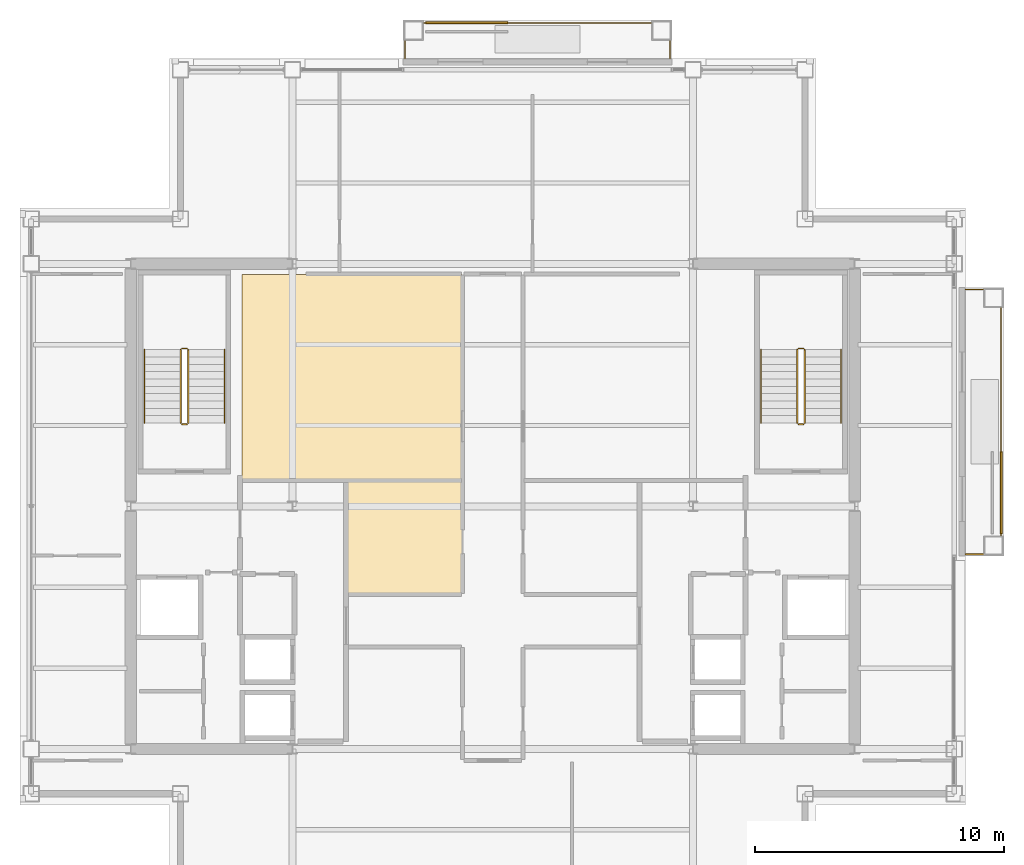
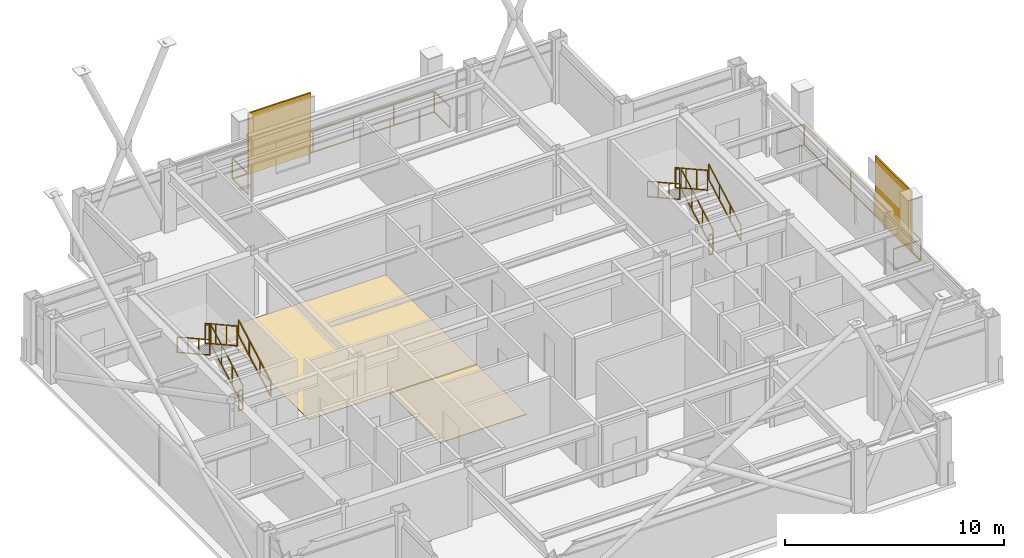
# One storey, part 27 of 28: 14 railings, 2 coverings, 2 shading devices.
"""IFC4 building model written with IfcOpenShell, lengths in metres."""

from ifc_helpers import new_model, si_unit, direction, frame, origin, origin_2d, place, context, subcontext, project, spatial, polyline, rectangle, outline, extrude, material, layer, layer_set, type_object, element, save


model = new_model("IFC4")

# Units and contexts
model_context = context("Model", 3, precision=1e-05, world=origin(), true_north=direction((0.0, 1.0)))
body_context = subcontext(model_context, "Body", "Model", "MODEL_VIEW")
ifc_project = project(units=[si_unit("LENGTHUNIT", "METRE"), si_unit("AREAUNIT", "SQUARE_METRE"), si_unit("VOLUMEUNIT", "CUBIC_METRE"), si_unit("PLANEANGLEUNIT", "RADIAN"), si_unit("MASSUNIT", "GRAM", prefix="KILO")], contexts=[model_context])

# Site, building, storey
site_placement = place(None, origin())
site = spatial("IfcSite", under=ifc_project, at=site_placement, CompositionType="ELEMENT")
building_placement = place(site_placement, origin())
building = spatial("IfcBuilding", under=site, at=building_placement, Name="Brelmoor Portico Tower", CompositionType="ELEMENT")
storey_placement = place(building_placement, frame((0.0, 0.0, 225.60009765625)))
storey = spatial("IfcBuildingStorey", under=building, at=storey_placement, Name="L59", CompositionType="ELEMENT", Elevation=225.60009765625)

# Coverings
ifc_material_1 = material(Name="Polished Pale-Aggregate Cementitious Terrazzo", Category="stone")
ifc_layer_1 = layer(ifc_material_1, 0.030029296875)
ifc_layer_set_1 = layer_set([ifc_layer_1], Name="Polished Pale-Aggregate Cementitious Terrazzo")
covering_type_1 = type_object("IfcCoveringType", Name="CV-FLR-TERRAZZO-30", PredefinedType="FLOORING", material=ifc_layer_set_1)
covering_1_placement = place(storey_placement, origin())
element("IfcCovering", 1, at=covering_1_placement, inside=storey, type_object=covering_type_1, Name="L59 Architectural Floor Finish 02", PredefinedType="FLOORING", context=body_context, shape_type="SweptSolid", body=[
    extrude(outline(polyline([(-5.820068359375, -3.510009765625), (-5.820068359375, 1.0400390625), (-1.239990234375, 1.0400390625), (-1.239990234375, -3.510009765625), (-5.820068359375, -3.510009765625)])), origin(), (0.0, 0.0, 1.0), 0.02978515625),
])
ifc_material_2 = material(Name="Engineered Quarter-Sawn Oak Parquet Flooring", Category="timber")
ifc_layer_2 = layer(ifc_material_2, 0.02197265625)
ifc_layer_set_2 = layer_set([ifc_layer_2], Name="Engineered Quarter-Sawn Oak Parquet Flooring")
covering_type_2 = type_object("IfcCoveringType", Name="CV-FLR-TIMBER-22", PredefinedType="FLOORING", material=ifc_layer_set_2)
covering_2_placement = place(storey_placement, origin())
element("IfcCovering", 2, at=covering_2_placement, inside=storey, type_object=covering_type_2, Name="L59 Architectural Floor Finish 01", PredefinedType="FLOORING", context=body_context, shape_type="SweptSolid", body=[
    extrude(outline(polyline([(-10.080078125, 1.090087890625), (-10.080078125, 9.330078125), (-1.239990234375, 9.330078125), (-1.239990234375, 1.090087890625), (-10.080078125, 1.090087890625)])), origin(), (0.0, 0.0, 1.0), 0.02197265625),
])

# Railings
ifc_material_3 = material(Name="Perforated Pale Champagne Aluminium Fretwork Guard", Category="aluminium")
railing_type_1 = type_object("IfcRailingType", Name="RL-BALUSTRADE-1200", PredefinedType="BALUSTRADE", material=ifc_material_3)
railing_1_placement = place(storey_placement, frame((-3.52001953125, 18.0, 0.0)))
element("IfcRailing", 3, at=railing_1_placement, inside=storey, type_object=railing_type_1, Name="L59 Tree Balcony Fretwork Balustrade N", PredefinedType="BALUSTRADE", context=body_context, shape_type="SweptSolid", body=[
    extrude(rectangle(XDim=0.048095703125, YDim=0.048095703125, at=origin_2d()), frame((0.0, 0.0, 1.17578125), z_axis=(0.0, 1.0, 0.0), x_axis=(-1.0, 0.0, 0.0)), (0.0, 0.0, 1.0), 1.429931640625),
    extrude(rectangle(XDim=0.048095703125, YDim=0.048095703125, at=origin_2d()), frame((0.0, 0.0, 0.02392578125), z_axis=(0.0, 1.0, 0.0), x_axis=(-1.0, 0.0, 0.0)), (0.0, 0.0, 1.0), 1.429931640625),
    extrude(rectangle(XDim=0.048095703125, YDim=0.048095703125, at=origin_2d()), frame((0.0, 1.429931640625, 1.17578125), z_axis=(1.0, 0.0, 0.0), x_axis=(0.0, 1.0, 0.0)), (0.0, 0.0, 1.0), 10.64013671875),
    extrude(rectangle(XDim=0.048095703125, YDim=0.048095703125, at=origin_2d()), frame((0.0, 1.429931640625, 0.02392578125), z_axis=(1.0, 0.0, 0.0), x_axis=(0.0, 1.0, 0.0)), (0.0, 0.0, 1.0), 10.64013671875),
    extrude(rectangle(XDim=0.048095703125, YDim=0.048095703125, at=origin_2d()), frame((10.64013671875, 1.429931640625, 1.17578125), z_axis=(0.0, -1.0, 0.0), x_axis=(1.0, 0.0, 0.0)), (0.0, 0.0, 1.0), 1.429931640625),
    extrude(rectangle(XDim=0.048095703125, YDim=0.048095703125, at=origin_2d()), frame((10.64013671875, 1.429931640625, 0.02392578125), z_axis=(0.0, -1.0, 0.0), x_axis=(1.0, 0.0, 0.0)), (0.0, 0.0, 1.0), 1.429931640625),
    extrude(rectangle(XDim=0.0419921875, YDim=0.0419921875, at=origin_2d()), origin(), (0.0, 0.0, 1.0), 1.15185546875),
    extrude(rectangle(XDim=0.0419921875, YDim=0.0419921875, at=origin_2d()), frame((0.0, 1.429931640625, 0.0)), (0.0, 0.0, 1.0), 1.15185546875),
    extrude(rectangle(XDim=0.0419921875, YDim=0.0419921875, at=origin_2d()), frame((2.1279296875, 1.429931640625, 0.0)), (0.0, 0.0, 1.0), 1.15185546875),
    extrude(rectangle(XDim=0.0419921875, YDim=0.0419921875, at=origin_2d()), frame((4.256103515625, 1.429931640625, 0.0)), (0.0, 0.0, 1.0), 1.15185546875),
    extrude(rectangle(XDim=0.0419921875, YDim=0.0419921875, at=origin_2d()), frame((6.384033203125, 1.429931640625, 0.0)), (0.0, 0.0, 1.0), 1.15185546875),
    extrude(rectangle(XDim=0.0419921875, YDim=0.0419921875, at=origin_2d()), frame((8.51220703125, 1.429931640625, 0.0)), (0.0, 0.0, 1.0), 1.15185546875),
    extrude(rectangle(XDim=0.0419921875, YDim=0.0419921875, at=origin_2d()), frame((10.64013671875, 1.429931640625, 0.0)), (0.0, 0.0, 1.0), 1.15185546875),
    extrude(rectangle(XDim=0.0419921875, YDim=0.0419921875, at=origin_2d()), frame((10.64013671875, 0.0, 0.0)), (0.0, 0.0, 1.0), 1.15185546875),
])
railing_2_placement = place(storey_placement, frame((19.0, -1.919921875, 0.0)))
element("IfcRailing", 4, at=railing_2_placement, inside=storey, type_object=railing_type_1, Name="L59 Tree Balcony Fretwork Balustrade E", PredefinedType="BALUSTRADE", context=body_context, shape_type="SweptSolid", body=[
    extrude(rectangle(XDim=0.048095703125, YDim=0.048095703125, at=origin_2d()), frame((0.0, 0.0, 1.17578125), z_axis=(1.0, 0.0, 0.0), x_axis=(0.0, 1.0, 0.0)), (0.0, 0.0, 1.0), 1.429931640625),
    extrude(rectangle(XDim=0.048095703125, YDim=0.048095703125, at=origin_2d()), frame((0.0, 0.0, 0.02392578125), z_axis=(1.0, 0.0, 0.0), x_axis=(0.0, 1.0, 0.0)), (0.0, 0.0, 1.0), 1.429931640625),
    extrude(rectangle(XDim=0.048095703125, YDim=0.048095703125, at=origin_2d()), frame((1.429931640625, 0.0, 1.17578125), z_axis=(0.0, 1.0, 0.0), x_axis=(-1.0, 0.0, 0.0)), (0.0, 0.0, 1.0), 10.639892578125),
    extrude(rectangle(XDim=0.048095703125, YDim=0.048095703125, at=origin_2d()), frame((1.429931640625, 0.0, 0.02392578125), z_axis=(0.0, 1.0, 0.0), x_axis=(-1.0, 0.0, 0.0)), (0.0, 0.0, 1.0), 10.639892578125),
    extrude(rectangle(XDim=0.048095703125, YDim=0.048095703125, at=origin_2d()), frame((1.429931640625, 10.639892578125, 1.17578125), z_axis=(-1.0, 0.0, 0.0), x_axis=(0.0, -1.0, 0.0)), (0.0, 0.0, 1.0), 1.429931640625),
    extrude(rectangle(XDim=0.048095703125, YDim=0.048095703125, at=origin_2d()), frame((1.429931640625, 10.639892578125, 0.02392578125), z_axis=(-1.0, 0.0, 0.0), x_axis=(0.0, -1.0, 0.0)), (0.0, 0.0, 1.0), 1.429931640625),
    extrude(rectangle(XDim=0.0419921875, YDim=0.0419921875, at=origin_2d()), origin(), (0.0, 0.0, 1.0), 1.15185546875),
    extrude(rectangle(XDim=0.0419921875, YDim=0.0419921875, at=origin_2d()), frame((1.429931640625, 0.0, 0.0)), (0.0, 0.0, 1.0), 1.15185546875),
    extrude(rectangle(XDim=0.0419921875, YDim=0.0419921875, at=origin_2d()), frame((1.429931640625, 2.1279296875, 0.0)), (0.0, 0.0, 1.0), 1.15185546875),
    extrude(rectangle(XDim=0.0419921875, YDim=0.0419921875, at=origin_2d()), frame((1.429931640625, 4.255859375, 0.0)), (0.0, 0.0, 1.0), 1.15185546875),
    extrude(rectangle(XDim=0.0419921875, YDim=0.0419921875, at=origin_2d()), frame((1.429931640625, 6.384033203125, 0.0)), (0.0, 0.0, 1.0), 1.15185546875),
    extrude(rectangle(XDim=0.0419921875, YDim=0.0419921875, at=origin_2d()), frame((1.429931640625, 8.511962890625, 0.0)), (0.0, 0.0, 1.0), 1.15185546875),
    extrude(rectangle(XDim=0.0419921875, YDim=0.0419921875, at=origin_2d()), frame((1.429931640625, 10.639892578125, 0.0)), (0.0, 0.0, 1.0), 1.15185546875),
    extrude(rectangle(XDim=0.0419921875, YDim=0.0419921875, at=origin_2d()), frame((0.0, 10.639892578125, 0.0)), (0.0, 0.0, 1.0), 1.15185546875),
])
ifc_material_4 = material(Name="Painted Tubular Steel Q235B", Category="steel")
railing_type_2 = type_object("IfcRailingType", Name="RL-STAIR-GUARD", PredefinedType="GUARDRAIL", material=ifc_material_4)
railing_3_placement = place(storey_placement, frame((-12.239990234375, 3.35009765625, 0.16357421875)))
element("IfcRailing", 5, at=railing_3_placement, inside=storey, type_object=railing_type_2, Name="L59 ST-W stair guard 1", PredefinedType="GUARDRAIL", context=body_context, shape_type="SweptSolid", body=[
    extrude(rectangle(XDim=0.048095703125, YDim=0.048095703125, at=origin_2d()), frame((0.0, 0.0, 1.1259765625), z_axis=(0.0, 0.87448821551, 0.485046761595), x_axis=(-1.0, 0.0, 0.0)), (0.0, 0.0, 1.0), 3.373291015625),
    extrude(rectangle(XDim=0.048095703125, YDim=0.048095703125, at=origin_2d()), frame((0.0, 0.0, 0.02392578125), z_axis=(0.0, 0.87448821551, 0.485046761595), x_axis=(-1.0, 0.0, 0.0)), (0.0, 0.0, 1.0), 3.373291015625),
    extrude(rectangle(XDim=0.0419921875, YDim=0.0419921875, at=origin_2d()), origin(), (0.0, 0.0, 1.0), 1.101806640625),
    extrude(rectangle(XDim=0.0419921875, YDim=0.0419921875, at=origin_2d()), frame((0.0, 0.9833984375, 0.54541015625)), (0.0, 0.0, 1.0), 1.101806640625),
    extrude(rectangle(XDim=0.0419921875, YDim=0.0419921875, at=origin_2d()), frame((0.0, 1.966552734375, 1.0908203125)), (0.0, 0.0, 1.0), 1.101806640625),
    extrude(rectangle(XDim=0.0419921875, YDim=0.0419921875, at=origin_2d()), frame((0.0, 2.949951171875, 1.63623046875)), (0.0, 0.0, 1.0), 1.101806640625),
])
railing_4_placement = place(storey_placement, frame((-12.2900390625, 6.35009765625, 1.7998046875)))
element("IfcRailing", 6, at=railing_4_placement, inside=storey, type_object=railing_type_2, Name="L59 ST-W stair guard 2", PredefinedType="GUARDRAIL", context=body_context, shape_type="SweptSolid", body=[
    extrude(rectangle(XDim=0.048095703125, YDim=0.048095703125, at=origin_2d()), frame((0.0, 0.0, 1.1259765625), z_axis=(-1.0, 0.0, 0.0), x_axis=(0.0, -1.0, 0.0)), (0.0, 0.0, 1.0), 0.199951171875),
    extrude(rectangle(XDim=0.048095703125, YDim=0.048095703125, at=origin_2d()), frame((0.0, 0.0, 0.02392578125), z_axis=(-1.0, 0.0, 0.0), x_axis=(0.0, -1.0, 0.0)), (0.0, 0.0, 1.0), 0.199951171875),
    extrude(rectangle(XDim=0.0419921875, YDim=0.0419921875, at=origin_2d()), origin(), (0.0, 0.0, 1.0), 1.101806640625),
    extrude(rectangle(XDim=0.0419921875, YDim=0.0419921875, at=origin_2d()), frame((-0.199951171875, 0.0, 0.0)), (0.0, 0.0, 1.0), 1.101806640625),
])
railing_5_placement = place(storey_placement, frame((-12.5400390625, 6.300048828125, 1.963623046875)))
element("IfcRailing", 7, at=railing_5_placement, inside=storey, type_object=railing_type_2, Name="L59 ST-W stair guard 3", PredefinedType="GUARDRAIL", context=body_context, shape_type="SweptSolid", body=[
    extrude(rectangle(XDim=0.048095703125, YDim=0.048095703125, at=origin_2d()), frame((0.0, 0.0, 1.1259765625), z_axis=(0.0, -0.87448821551, 0.485046761595), x_axis=(1.0, 0.0, 0.0)), (0.0, 0.0, 1.0), 3.373291015625),
    extrude(rectangle(XDim=0.048095703125, YDim=0.048095703125, at=origin_2d()), frame((0.0, 0.0, 0.02392578125), z_axis=(0.0, -0.87448821551, 0.485046761595), x_axis=(1.0, 0.0, 0.0)), (0.0, 0.0, 1.0), 3.373291015625),
    extrude(rectangle(XDim=0.0419921875, YDim=0.0419921875, at=origin_2d()), origin(), (0.0, 0.0, 1.0), 1.101806640625),
    extrude(rectangle(XDim=0.0419921875, YDim=0.0419921875, at=origin_2d()), frame((0.0, -0.9833984375, 0.54541015625)), (0.0, 0.0, 1.0), 1.101806640625),
    extrude(rectangle(XDim=0.0419921875, YDim=0.0419921875, at=origin_2d()), frame((0.0, -1.966552734375, 1.0908203125)), (0.0, 0.0, 1.0), 1.101806640625),
    extrude(rectangle(XDim=0.0419921875, YDim=0.0419921875, at=origin_2d()), frame((0.0, -2.949951171875, 1.63623046875)), (0.0, 0.0, 1.0), 1.101806640625),
])
railing_6_placement = place(storey_placement, frame((-12.2900390625, 3.300048828125, 0.0)))
element("IfcRailing", 8, at=railing_6_placement, inside=storey, type_object=railing_type_2, Name="L59 ST-W stair guard 4", PredefinedType="GUARDRAIL", context=body_context, shape_type="SweptSolid", body=[
    extrude(rectangle(XDim=0.048095703125, YDim=0.048095703125, at=origin_2d()), frame((0.0, 0.0, 1.1259765625), z_axis=(-1.0, 0.0, 0.0), x_axis=(0.0, -1.0, 0.0)), (0.0, 0.0, 1.0), 0.199951171875),
    extrude(rectangle(XDim=0.048095703125, YDim=0.048095703125, at=origin_2d()), frame((0.0, 0.0, 0.02392578125), z_axis=(-1.0, 0.0, 0.0), x_axis=(0.0, -1.0, 0.0)), (0.0, 0.0, 1.0), 0.199951171875),
    extrude(rectangle(XDim=0.0419921875, YDim=0.0419921875, at=origin_2d()), origin(), (0.0, 0.0, 1.0), 1.101806640625),
    extrude(rectangle(XDim=0.0419921875, YDim=0.0419921875, at=origin_2d()), frame((-0.199951171875, 0.0, 0.0)), (0.0, 0.0, 1.0), 1.101806640625),
])
railing_7_placement = place(storey_placement, frame((12.5400390625, 3.35009765625, 0.16357421875)))
element("IfcRailing", 9, at=railing_7_placement, inside=storey, type_object=railing_type_2, Name="L59 ST-E stair guard 1", PredefinedType="GUARDRAIL", context=body_context, shape_type="SweptSolid", body=[
    extrude(rectangle(XDim=0.048095703125, YDim=0.048095703125, at=origin_2d()), frame((0.0, 0.0, 1.1259765625), z_axis=(0.0, 0.87448821551, 0.485046761595), x_axis=(-1.0, 0.0, 0.0)), (0.0, 0.0, 1.0), 3.373291015625),
    extrude(rectangle(XDim=0.048095703125, YDim=0.048095703125, at=origin_2d()), frame((0.0, 0.0, 0.02392578125), z_axis=(0.0, 0.87448821551, 0.485046761595), x_axis=(-1.0, 0.0, 0.0)), (0.0, 0.0, 1.0), 3.373291015625),
    extrude(rectangle(XDim=0.0419921875, YDim=0.0419921875, at=origin_2d()), origin(), (0.0, 0.0, 1.0), 1.101806640625),
    extrude(rectangle(XDim=0.0419921875, YDim=0.0419921875, at=origin_2d()), frame((0.0, 0.9833984375, 0.54541015625)), (0.0, 0.0, 1.0), 1.101806640625),
    extrude(rectangle(XDim=0.0419921875, YDim=0.0419921875, at=origin_2d()), frame((0.0, 1.966552734375, 1.0908203125)), (0.0, 0.0, 1.0), 1.101806640625),
    extrude(rectangle(XDim=0.0419921875, YDim=0.0419921875, at=origin_2d()), frame((0.0, 2.949951171875, 1.63623046875)), (0.0, 0.0, 1.0), 1.101806640625),
])
railing_8_placement = place(storey_placement, frame((12.489990234375, 6.35009765625, 1.7998046875)))
element("IfcRailing", 10, at=railing_8_placement, inside=storey, type_object=railing_type_2, Name="L59 ST-E stair guard 2", PredefinedType="GUARDRAIL", context=body_context, shape_type="SweptSolid", body=[
    extrude(rectangle(XDim=0.048095703125, YDim=0.048095703125, at=origin_2d()), frame((0.0, 0.0, 1.1259765625), z_axis=(-1.0, 0.0, 0.0), x_axis=(0.0, -1.0, 0.0)), (0.0, 0.0, 1.0), 0.199951171875),
    extrude(rectangle(XDim=0.048095703125, YDim=0.048095703125, at=origin_2d()), frame((0.0, 0.0, 0.02392578125), z_axis=(-1.0, 0.0, 0.0), x_axis=(0.0, -1.0, 0.0)), (0.0, 0.0, 1.0), 0.199951171875),
    extrude(rectangle(XDim=0.0419921875, YDim=0.0419921875, at=origin_2d()), origin(), (0.0, 0.0, 1.0), 1.101806640625),
    extrude(rectangle(XDim=0.0419921875, YDim=0.0419921875, at=origin_2d()), frame((-0.199951171875, 0.0, 0.0)), (0.0, 0.0, 1.0), 1.101806640625),
])
railing_9_placement = place(storey_placement, frame((12.239990234375, 6.300048828125, 1.963623046875)))
element("IfcRailing", 11, at=railing_9_placement, inside=storey, type_object=railing_type_2, Name="L59 ST-E stair guard 3", PredefinedType="GUARDRAIL", context=body_context, shape_type="SweptSolid", body=[
    extrude(rectangle(XDim=0.048095703125, YDim=0.048095703125, at=origin_2d()), frame((0.0, 0.0, 1.1259765625), z_axis=(0.0, -0.87448821551, 0.485046761595), x_axis=(1.0, 0.0, 0.0)), (0.0, 0.0, 1.0), 3.373291015625),
    extrude(rectangle(XDim=0.048095703125, YDim=0.048095703125, at=origin_2d()), frame((0.0, 0.0, 0.02392578125), z_axis=(0.0, -0.87448821551, 0.485046761595), x_axis=(1.0, 0.0, 0.0)), (0.0, 0.0, 1.0), 3.373291015625),
    extrude(rectangle(XDim=0.0419921875, YDim=0.0419921875, at=origin_2d()), origin(), (0.0, 0.0, 1.0), 1.101806640625),
    extrude(rectangle(XDim=0.0419921875, YDim=0.0419921875, at=origin_2d()), frame((0.0, -0.9833984375, 0.54541015625)), (0.0, 0.0, 1.0), 1.101806640625),
    extrude(rectangle(XDim=0.0419921875, YDim=0.0419921875, at=origin_2d()), frame((0.0, -1.966552734375, 1.0908203125)), (0.0, 0.0, 1.0), 1.101806640625),
    extrude(rectangle(XDim=0.0419921875, YDim=0.0419921875, at=origin_2d()), frame((0.0, -2.949951171875, 1.63623046875)), (0.0, 0.0, 1.0), 1.101806640625),
])
railing_10_placement = place(storey_placement, frame((12.489990234375, 3.300048828125, 0.0)))
element("IfcRailing", 12, at=railing_10_placement, inside=storey, type_object=railing_type_2, Name="L59 ST-E stair guard 4", PredefinedType="GUARDRAIL", context=body_context, shape_type="SweptSolid", body=[
    extrude(rectangle(XDim=0.048095703125, YDim=0.048095703125, at=origin_2d()), frame((0.0, 0.0, 1.1259765625), z_axis=(-1.0, 0.0, 0.0), x_axis=(0.0, -1.0, 0.0)), (0.0, 0.0, 1.0), 0.199951171875),
    extrude(rectangle(XDim=0.048095703125, YDim=0.048095703125, at=origin_2d()), frame((0.0, 0.0, 0.02392578125), z_axis=(-1.0, 0.0, 0.0), x_axis=(0.0, -1.0, 0.0)), (0.0, 0.0, 1.0), 0.199951171875),
    extrude(rectangle(XDim=0.0419921875, YDim=0.0419921875, at=origin_2d()), origin(), (0.0, 0.0, 1.0), 1.101806640625),
    extrude(rectangle(XDim=0.0419921875, YDim=0.0419921875, at=origin_2d()), frame((-0.199951171875, 0.0, 0.0)), (0.0, 0.0, 1.0), 1.101806640625),
])
ifc_material_5 = material(Name="Brushed Stainless Steel 304", Category="steel")
railing_type_3 = type_object("IfcRailingType", Name="RL-STAIR-HANDRAIL", PredefinedType="HANDRAIL", material=ifc_material_5)
railing_11_placement = place(storey_placement, frame((-10.780029296875, 3.35009765625, 0.16357421875)))
element("IfcRailing", 13, at=railing_11_placement, inside=storey, type_object=railing_type_3, Name="L59 ST-W stair handrail 1", PredefinedType="HANDRAIL", context=body_context, shape_type="SweptSolid", body=[
    extrude(rectangle(XDim=0.048095703125, YDim=0.048095703125, at=origin_2d()), frame((0.0, 0.0, 0.8759765625), z_axis=(0.0, 0.87448821551, 0.485046761595), x_axis=(-1.0, 0.0, 0.0)), (0.0, 0.0, 1.0), 3.373291015625),
    extrude(rectangle(XDim=0.048095703125, YDim=0.048095703125, at=origin_2d()), frame((0.0, 0.0, 0.02392578125), z_axis=(0.0, 0.87448821551, 0.485046761595), x_axis=(-1.0, 0.0, 0.0)), (0.0, 0.0, 1.0), 3.373291015625),
    extrude(rectangle(XDim=0.0419921875, YDim=0.0419921875, at=origin_2d()), origin(), (0.0, 0.0, 1.0), 0.851806640625),
    extrude(rectangle(XDim=0.0419921875, YDim=0.0419921875, at=origin_2d()), frame((0.0, 0.9833984375, 0.54541015625)), (0.0, 0.0, 1.0), 0.851806640625),
    extrude(rectangle(XDim=0.0419921875, YDim=0.0419921875, at=origin_2d()), frame((0.0, 1.966552734375, 1.0908203125)), (0.0, 0.0, 1.0), 0.851806640625),
    extrude(rectangle(XDim=0.0419921875, YDim=0.0419921875, at=origin_2d()), frame((0.0, 2.949951171875, 1.63623046875)), (0.0, 0.0, 1.0), 0.851806640625),
])
railing_12_placement = place(storey_placement, frame((-14.0, 6.300048828125, 1.963623046875)))
element("IfcRailing", 14, at=railing_12_placement, inside=storey, type_object=railing_type_3, Name="L59 ST-W stair handrail 2", PredefinedType="HANDRAIL", context=body_context, shape_type="SweptSolid", body=[
    extrude(rectangle(XDim=0.048095703125, YDim=0.048095703125, at=origin_2d()), frame((0.0, 0.0, 0.8759765625), z_axis=(0.0, -0.87448821551, 0.485046761595), x_axis=(1.0, 0.0, 0.0)), (0.0, 0.0, 1.0), 3.373291015625),
    extrude(rectangle(XDim=0.048095703125, YDim=0.048095703125, at=origin_2d()), frame((0.0, 0.0, 0.02392578125), z_axis=(0.0, -0.87448821551, 0.485046761595), x_axis=(1.0, 0.0, 0.0)), (0.0, 0.0, 1.0), 3.373291015625),
    extrude(rectangle(XDim=0.0419921875, YDim=0.0419921875, at=origin_2d()), origin(), (0.0, 0.0, 1.0), 0.851806640625),
    extrude(rectangle(XDim=0.0419921875, YDim=0.0419921875, at=origin_2d()), frame((0.0, -0.9833984375, 0.54541015625)), (0.0, 0.0, 1.0), 0.851806640625),
    extrude(rectangle(XDim=0.0419921875, YDim=0.0419921875, at=origin_2d()), frame((0.0, -1.966552734375, 1.0908203125)), (0.0, 0.0, 1.0), 0.851806640625),
    extrude(rectangle(XDim=0.0419921875, YDim=0.0419921875, at=origin_2d()), frame((0.0, -2.949951171875, 1.63623046875)), (0.0, 0.0, 1.0), 0.851806640625),
])
railing_13_placement = place(storey_placement, frame((14.0, 3.35009765625, 0.16357421875)))
element("IfcRailing", 15, at=railing_13_placement, inside=storey, type_object=railing_type_3, Name="L59 ST-E stair handrail 1", PredefinedType="HANDRAIL", context=body_context, shape_type="SweptSolid", body=[
    extrude(rectangle(XDim=0.048095703125, YDim=0.048095703125, at=origin_2d()), frame((0.0, 0.0, 0.8759765625), z_axis=(0.0, 0.87448821551, 0.485046761595), x_axis=(-1.0, 0.0, 0.0)), (0.0, 0.0, 1.0), 3.373291015625),
    extrude(rectangle(XDim=0.048095703125, YDim=0.048095703125, at=origin_2d()), frame((0.0, 0.0, 0.02392578125), z_axis=(0.0, 0.87448821551, 0.485046761595), x_axis=(-1.0, 0.0, 0.0)), (0.0, 0.0, 1.0), 3.373291015625),
    extrude(rectangle(XDim=0.0419921875, YDim=0.0419921875, at=origin_2d()), origin(), (0.0, 0.0, 1.0), 0.851806640625),
    extrude(rectangle(XDim=0.0419921875, YDim=0.0419921875, at=origin_2d()), frame((0.0, 0.9833984375, 0.54541015625)), (0.0, 0.0, 1.0), 0.851806640625),
    extrude(rectangle(XDim=0.0419921875, YDim=0.0419921875, at=origin_2d()), frame((0.0, 1.966552734375, 1.0908203125)), (0.0, 0.0, 1.0), 0.851806640625),
    extrude(rectangle(XDim=0.0419921875, YDim=0.0419921875, at=origin_2d()), frame((0.0, 2.949951171875, 1.63623046875)), (0.0, 0.0, 1.0), 0.851806640625),
])
railing_14_placement = place(storey_placement, frame((10.780029296875, 6.300048828125, 1.963623046875)))
element("IfcRailing", 16, at=railing_14_placement, inside=storey, type_object=railing_type_3, Name="L59 ST-E stair handrail 2", PredefinedType="HANDRAIL", context=body_context, shape_type="SweptSolid", body=[
    extrude(rectangle(XDim=0.048095703125, YDim=0.048095703125, at=origin_2d()), frame((0.0, 0.0, 0.8759765625), z_axis=(0.0, -0.87448821551, 0.485046761595), x_axis=(1.0, 0.0, 0.0)), (0.0, 0.0, 1.0), 3.373291015625),
    extrude(rectangle(XDim=0.048095703125, YDim=0.048095703125, at=origin_2d()), frame((0.0, 0.0, 0.02392578125), z_axis=(0.0, -0.87448821551, 0.485046761595), x_axis=(1.0, 0.0, 0.0)), (0.0, 0.0, 1.0), 3.373291015625),
    extrude(rectangle(XDim=0.0419921875, YDim=0.0419921875, at=origin_2d()), origin(), (0.0, 0.0, 1.0), 0.851806640625),
    extrude(rectangle(XDim=0.0419921875, YDim=0.0419921875, at=origin_2d()), frame((0.0, -0.9833984375, 0.54541015625)), (0.0, 0.0, 1.0), 0.851806640625),
    extrude(rectangle(XDim=0.0419921875, YDim=0.0419921875, at=origin_2d()), frame((0.0, -1.966552734375, 1.0908203125)), (0.0, 0.0, 1.0), 0.851806640625),
    extrude(rectangle(XDim=0.0419921875, YDim=0.0419921875, at=origin_2d()), frame((0.0, -2.949951171875, 1.63623046875)), (0.0, 0.0, 1.0), 0.851806640625),
])

# Shading devices
ifc_material_6 = material(Name="Powder-Coated Aluminium Shuttered Jalousie", Category="aluminium")
ifc_layer_3 = layer(ifc_material_6, 0.080078125)
ifc_layer_set_3 = layer_set([ifc_layer_3], Name="Powder-Coated Aluminium Shuttered Jalousie")
shading_device_type = type_object("IfcShadingDeviceType", Name="SD-JALOUSIE-LOGGIA", PredefinedType="JALOUSIE", material=ifc_layer_set_3)
for number, where, z_axis, x_axis, name in (
    (17, (-1.050048828125, 19.429931640625, 0.0), (0.0, 0.0, 1.0), (1.0, 0.0, 0.0), "L59 Loggia Shuttered Jalousie N"),
    (18, (20.429931640625, 0.550048828125, 0.0), (0.0, 0.0, 1.0), (0.0, 1.0, 0.0), "L59 Loggia Shuttered Jalousie E"),
):
    element("IfcShadingDevice", number, at=place(storey_placement, frame(where, z_axis=z_axis, x_axis=x_axis)), inside=storey, type_object=shading_device_type, Name=name, PredefinedType="JALOUSIE", context=body_context, shape_type="SweptSolid", body=[
        extrude(rectangle(XDim=3.300048828125, YDim=0.080078125, at=origin_2d()), origin(), (0.0, 0.0, 1.0), 3.39990234375),
    ])

save(model, "model.ifc")
